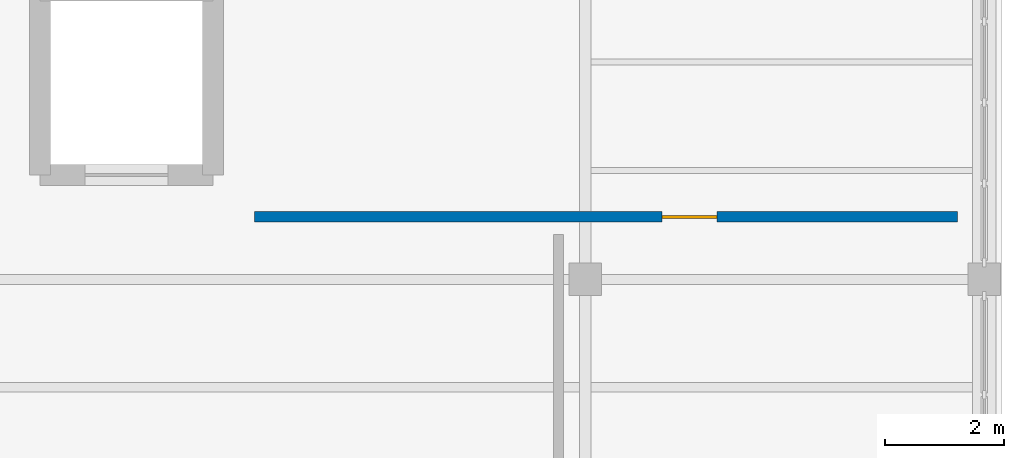
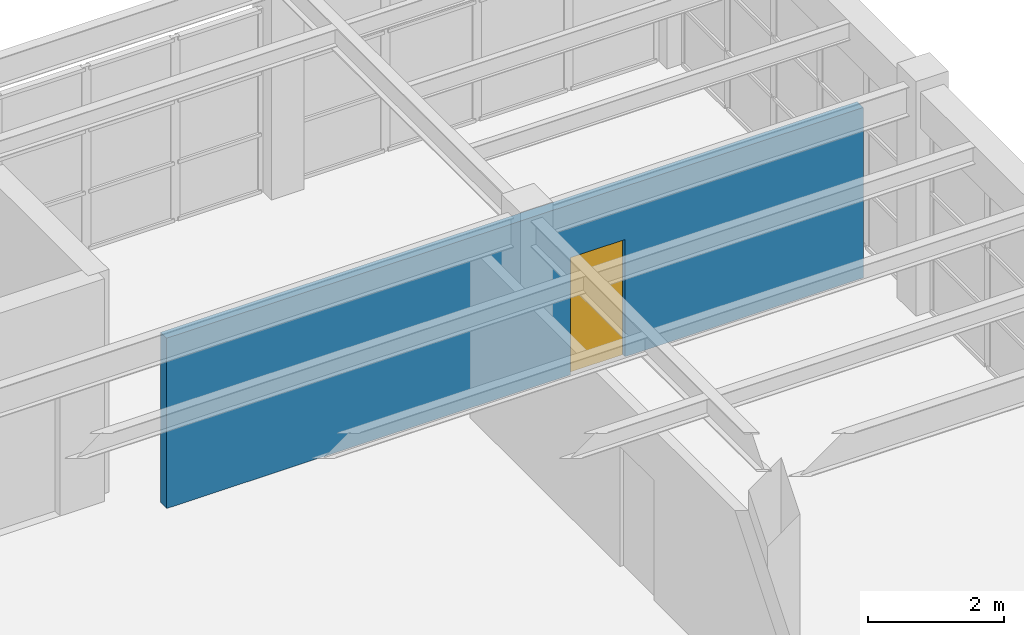
# One storey, part 57 of 66: 1 door, 1 wall, 1 opening.
"""IFC4 building model written with IfcOpenShell, lengths in metres."""

from ifc_helpers import new_model, si_unit, direction, frame, frame_2d, origin, place, context, subcontext, project, spatial, rectangle, extrude, material, layer, layer_set, type_object, element, fill, save


model = new_model("IFC4")

# Units and contexts
model_context = context("Model", 3, precision=1e-05, world=origin(), true_north=direction((0.0, 1.0)))
body_context = subcontext(model_context, "Body", "Model", "MODEL_VIEW")
ifc_project = project(units=[si_unit("LENGTHUNIT", "METRE"), si_unit("AREAUNIT", "SQUARE_METRE"), si_unit("VOLUMEUNIT", "CUBIC_METRE"), si_unit("PLANEANGLEUNIT", "RADIAN"), si_unit("MASSUNIT", "GRAM", prefix="KILO")], contexts=[model_context])

# Site, building, storey
site_placement = place(None, origin())
site = spatial("IfcSite", under=ifc_project, at=site_placement, CompositionType="ELEMENT")
building_placement = place(site_placement, origin())
building = spatial("IfcBuilding", under=site, at=building_placement, Name="Candilejo Ridge Gondola Terminal", CompositionType="ELEMENT")
storey_placement = place(building_placement, frame((0.0, 0.0, 14.39990234375)))
storey = spatial("IfcBuildingStorey", under=building, at=storey_placement, Name="L03", CompositionType="ELEMENT", Elevation=14.39990234375)

# Wall, opening, door
ifc_material_1 = material(Name="Concrete C20/25 masonry blockwork (f'm 14 MPa)", Category="masonry")
ifc_layer = layer(ifc_material_1, 0.179931640625)
ifc_layer_set = layer_set([ifc_layer], Name="ARC-WALL-PLUMBING-180")
wall_type = type_object("IfcWallType", Name="ARC-WALL-PLUMBING-180", PredefinedType="PLUMBINGWALL", material=ifc_layer_set)
wall_placement = place(storey_placement, frame((163.050048828125, 114.60009765625, 0.0), z_axis=(0.0, 0.0, 1.0), x_axis=(1.0, 0.0, 0.0)))
wall = element("IfcWall", 1, at=wall_placement, inside=storey, type_object=wall_type, Name="Interior partition PT-V5-L03-0128", PredefinedType="PLUMBINGWALL", context=body_context, shape_type="SweptSolid", body=[
    extrude(rectangle(XDim=11.800048828125, YDim=0.179931640625, at=frame_2d((5.89990234375, 0.0))), origin(), (0.0, 0.0, 1.0), 3.050048828125),
])
opening_placement = place(wall_placement, frame((6.840087890625, 0.0, 0.0)))
opening = element("IfcOpeningElement", 2, at=opening_placement, cuts=wall, Name="Opening ID-04A", PredefinedType="OPENING", context=body_context, shape_type="SweptSolid", body=[
    extrude(rectangle(XDim=0.919921875, YDim=2.10009765625, at=frame_2d((0.4599609375, 1.050048828125))), frame((0.0, 0.099853515625, 0.0), z_axis=(0.0, -1.0, 0.0), x_axis=(1.0, 0.0, 0.0)), (0.0, 0.0, 1.0), 0.199951171875),
])
ifc_material_2 = material(Name="Solid-core fire-rated hardwood door leaf", Category="wood")
door_type = type_object("IfcDoorType", Name="ARC-DOOR-WC-0920", OperationType="NOTDEFINED", PredefinedType="DOOR", material=ifc_material_2)
door_placement = place(opening_placement, origin())
door = element("IfcDoor", 3, at=door_placement, inside=storey, type_object=door_type, Name="Interior door IDR-0069 (319)", OperationType="SINGLE_SWING_LEFT", OverallHeight=2.10009765625, OverallWidth=0.919921875, PredefinedType="DOOR", context=body_context, shape_type="SweptSolid", body=[
    extrude(rectangle(XDim=0.919921875, YDim=2.10009765625, at=frame_2d((0.4599609375, 1.050048828125))), frame((0.0, 0.02490234375, 0.0), z_axis=(0.0, -1.0, 0.0), x_axis=(1.0, 0.0, 0.0)), (0.0, 0.0, 1.0), 0.050048828125),
])
fill(opening, door)

save(model, "model.ifc")
